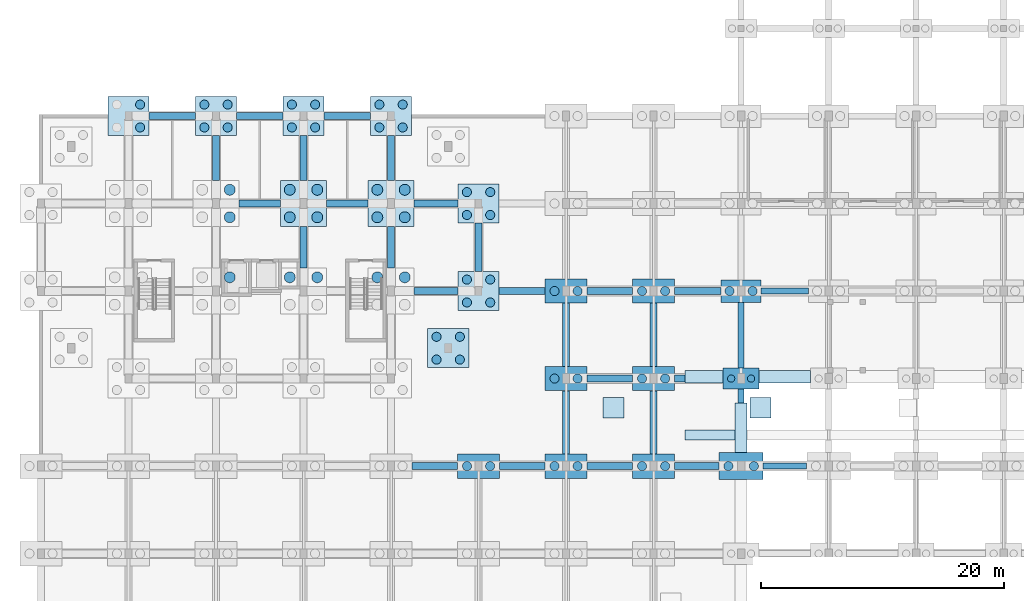
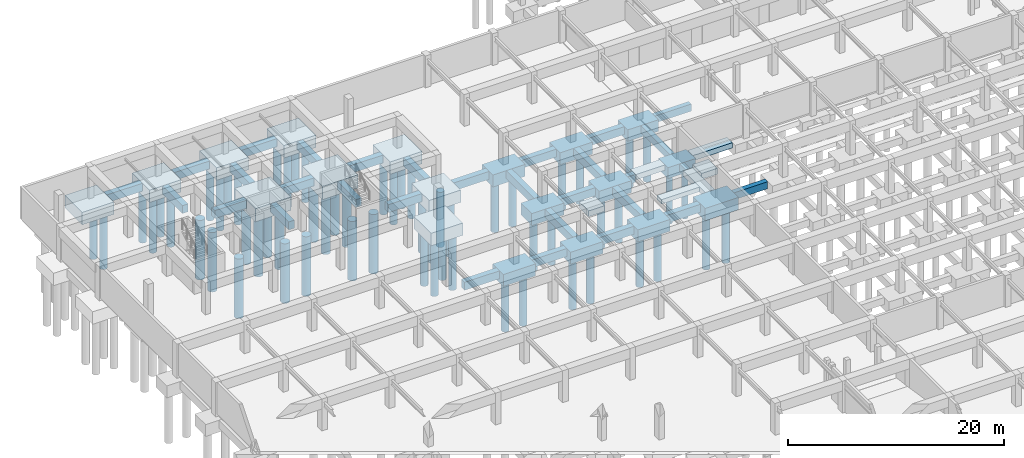
# One storey, part 8 of 36: 61 piles, 55 footings.
"""IFC4 building model written with IfcOpenShell, lengths in metres."""

from ifc_helpers import new_model, si_unit, direction, frame, origin, origin_2d, place, context, subcontext, project, spatial, rectangle, circle, extrude, material, material_profile, profile_set, type_object, element, save


model = new_model("IFC4")

# Units and contexts
model_context = context("Model", 3, precision=1e-05, world=origin(), true_north=direction((0.0, 1.0)))
body_context = subcontext(model_context, "Body", "Model", "MODEL_VIEW")
ifc_project = project(units=[si_unit("LENGTHUNIT", "METRE"), si_unit("AREAUNIT", "SQUARE_METRE"), si_unit("VOLUMEUNIT", "CUBIC_METRE"), si_unit("PLANEANGLEUNIT", "RADIAN"), si_unit("MASSUNIT", "GRAM", prefix="KILO")], contexts=[model_context])

# Site, building, storey
site_placement = place(None, origin())
site = spatial("IfcSite", under=ifc_project, at=site_placement, CompositionType="ELEMENT")
building_placement = place(site_placement, origin())
building = spatial("IfcBuilding", under=site, at=building_placement, Name="Ochrevale Crest", CompositionType="ELEMENT")
storey_placement = place(building_placement, frame((0.0, 0.0, -3.60009765625)))
storey = spatial("IfcBuildingStorey", under=building, at=storey_placement, Name="B1", CompositionType="ELEMENT", Elevation=-3.60009765625)

# Footings
ifc_material = material(Name="Concrete C40/50", Category="concrete")
footing_type_1 = type_object("IfcFootingType", Name="CAP-PC03", PredefinedType="PILE_CAP", material=ifc_material)
for number, where, z_axis, x_axis, name in (
    (1, (21.60009765625, 86.39990234375, -1.760009765625), (0.0, 0.0, 1.0), (1.0, 0.0, 0.0), "Pile cap PC03-047"),
    (2, (28.800048828125, 86.39990234375, -1.760009765625), (0.0, 0.0, 1.0), (1.0, 0.0, 0.0), "Pile cap PC03-059"),
):
    element("IfcFooting", number, at=place(storey_placement, frame(where, z_axis=z_axis, x_axis=x_axis)), inside=storey, type_object=footing_type_1, Name=name, PredefinedType="PILE_CAP", context=body_context, shape_type="SweptSolid", body=[
        extrude(rectangle(XDim=3.800048828125, YDim=3.800048828125, at=origin_2d()), origin(), (0.0, 0.0, 1.0), 1.5),
    ])
footing_type_2 = type_object("IfcFootingType", Name="CAP-PC07", PredefinedType="PILE_CAP", material=ifc_material)
for number, where, z_axis, x_axis, name in (
    (3, (7.199951171875, 93.60009765625, -1.659912109375), (0.0, 0.0, 1.0), (1.0, 0.0, 0.0), "Pile cap PC07-024"),
    (4, (14.39990234375, 93.60009765625, -1.659912109375), (0.0, 0.0, 1.0), (1.0, 0.0, 0.0), "Pile cap PC07-036"),
    (5, (21.60009765625, 93.60009765625, -1.659912109375), (0.0, 0.0, 1.0), (1.0, 0.0, 0.0), "Pile cap PC07-048"),
    (6, (28.800048828125, 93.60009765625, -1.659912109375), (0.0, 0.0, 1.0), (1.0, 0.0, 0.0), "Pile cap PC07-060"),
    (7, (33.5, 74.5, -1.659912109375), (0.0, 0.0, 1.0), (1.0, 0.0, 0.0), "Pile cap PC07-063"),
    (8, (36.0, 79.199951171875, -1.659912109375), (0.0, 0.0, 1.0), (1.0, 0.0, 0.0), "Pile cap PC07-071"),
    (9, (36.0, 86.39990234375, -1.659912109375), (0.0, 0.0, 1.0), (1.0, 0.0, 0.0), "Pile cap PC07-072"),
):
    element("IfcFooting", number, at=place(storey_placement, frame(where, z_axis=z_axis, x_axis=x_axis)), inside=storey, type_object=footing_type_2, Name=name, PredefinedType="PILE_CAP", context=body_context, shape_type="SweptSolid", body=[
        extrude(rectangle(XDim=3.39990234375, YDim=3.199951171875, at=origin_2d()), origin(), (0.0, 0.0, 1.0), 1.39990234375),
    ])
footing_type_3 = type_object("IfcFootingType", Name="CAP-PC11", PredefinedType="PILE_CAP", material=ifc_material)
footing_1_placement = place(storey_placement, frame((57.60009765625, 64.800048828125, -1.659912109375), z_axis=(0.0, 0.0, 1.0), x_axis=(1.0, 0.0, 0.0)))
element("IfcFooting", 10, at=footing_1_placement, inside=storey, type_object=footing_type_3, Name="Pile cap PC11-106", PredefinedType="PILE_CAP", context=body_context, shape_type="SweptSolid", body=[
    extrude(rectangle(XDim=3.60009765625, YDim=2.199951171875, at=origin_2d()), origin(), (0.0, 0.0, 1.0), 1.39990234375),
])
footing_type_4 = type_object("IfcFootingType", Name="CAP-PC12", PredefinedType="PILE_CAP", material=ifc_material)
for number, where, z_axis, x_axis, name in (
    (11, (36.0, 64.800048828125, -1.60986328125), (0.0, 0.0, 1.0), (1.0, 0.0, 0.0), "Pile cap PC12-070"),
    (12, (43.199951171875, 64.800048828125, -1.60986328125), (0.0, 0.0, 1.0), (1.0, 0.0, 0.0), "Pile cap PC12-080"),
    (13, (43.199951171875, 72.0, -1.60986328125), (0.0, 0.0, 1.0), (1.0, 0.0, 0.0), "Pile cap PC12-081"),
    (14, (43.199951171875, 79.199951171875, -1.60986328125), (0.0, 0.0, 1.0), (1.0, 0.0, 0.0), "Pile cap PC12-082"),
    (15, (50.39990234375, 64.800048828125, -1.60986328125), (0.0, 0.0, 1.0), (1.0, 0.0, 0.0), "Pile cap PC12-093"),
    (16, (50.39990234375, 72.0, -1.60986328125), (0.0, 0.0, 1.0), (1.0, 0.0, 0.0), "Pile cap PC12-094"),
    (17, (50.39990234375, 79.199951171875, -1.60986328125), (0.0, 0.0, 1.0), (1.0, 0.0, 0.0), "Pile cap PC12-095"),
):
    element("IfcFooting", number, at=place(storey_placement, frame(where, z_axis=z_axis, x_axis=x_axis)), inside=storey, type_object=footing_type_4, Name=name, PredefinedType="PILE_CAP", context=body_context, shape_type="SweptSolid", body=[
        extrude(rectangle(XDim=3.449951171875, YDim=2.0, at=origin_2d()), origin(), (0.0, 0.0, 1.0), 1.35009765625),
    ])
footing_type_5 = type_object("IfcFootingType", Name="CAP-PC13", PredefinedType="PILE_CAP", material=ifc_material)
footing_2_placement = place(storey_placement, frame((57.60009765625, 79.199951171875, -1.56005859375), z_axis=(0.0, 0.0, 1.0), x_axis=(1.0, 0.0, 0.0)))
element("IfcFooting", 18, at=footing_2_placement, inside=storey, type_object=footing_type_5, Name="Pile cap PC13-108", PredefinedType="PILE_CAP", context=body_context, shape_type="SweptSolid", body=[
    extrude(rectangle(XDim=3.300048828125, YDim=1.85009765625, at=origin_2d()), origin(), (0.0, 0.0, 1.0), 1.300048828125),
])
footing_type_6 = type_object("IfcFootingType", Name="CAP-PC14", PredefinedType="PILE_CAP", material=ifc_material)
footing_3_placement = place(storey_placement, frame((57.60009765625, 72.0, -1.510009765625), z_axis=(0.0, 0.0, 1.0), x_axis=(1.0, 0.0, 0.0)))
element("IfcFooting", 19, at=footing_3_placement, inside=storey, type_object=footing_type_6, Name="Pile cap PC14-107", PredefinedType="PILE_CAP", context=body_context, shape_type="SweptSolid", body=[
    extrude(rectangle(XDim=2.949951171875, YDim=1.75, at=origin_2d()), origin(), (0.0, 0.0, 1.0), 1.25),
])
ifc_material_profile_1 = material_profile(ifc_material, rectangle(XDim=0.5, YDim=0.800048828125, at=origin_2d()), Name="GB 500x800")
ifc_profile_set_1 = profile_set([ifc_material_profile_1], Name="Concrete C40/50")
footing_type_7 = type_object("IfcFootingType", Name="FTG-GB500x800", PredefinedType="FOOTING_BEAM", material=ifc_profile_set_1)
footing_4_placement = place(storey_placement, frame((59.402099609375, 64.800048828125, -0.659912109375), z_axis=(1.0, 0.0, 0.0), x_axis=(0.0, 1.0, 0.0)))
element("IfcFooting", 20, at=footing_4_placement, inside=storey, type_object=footing_type_7, Name="Foundation tie beam GB2-179", PredefinedType="FOOTING_BEAM", context=body_context, shape_type="SweptSolid", body=[
    extrude(rectangle(XDim=0.5, YDim=0.800048828125, at=origin_2d()), origin(), (0.0, 0.0, 1.0), 3.595947265625),
])
footing_5_placement = place(storey_placement, frame((57.60009765625, 70.001953125, -0.659912109375), z_axis=(0.0, 1.0, 0.0), x_axis=(-1.0, 0.0, 0.0)))
element("IfcFooting", 21, at=footing_5_placement, inside=storey, type_object=footing_type_7, Name="Foundation tie beam GB2-180", PredefinedType="FOOTING_BEAM", context=body_context, shape_type="SweptSolid", body=[
    extrude(rectangle(XDim=0.5, YDim=0.800048828125, at=origin_2d()), origin(), (0.0, 0.0, 1.0), 1.12109375),
])
footing_6_placement = place(storey_placement, frame((57.60009765625, 72.876953125, -0.659912109375), z_axis=(0.0, 1.0, 0.0), x_axis=(-1.0, 0.0, 0.0)))
element("IfcFooting", 22, at=footing_6_placement, inside=storey, type_object=footing_type_7, Name="Foundation tie beam GB2-182", PredefinedType="FOOTING_BEAM", context=body_context, shape_type="SweptSolid", body=[
    extrude(rectangle(XDim=0.5, YDim=0.800048828125, at=origin_2d()), origin(), (0.0, 0.0, 1.0), 5.39599609375),
])
footing_7_placement = place(storey_placement, frame((59.251953125, 79.199951171875, -0.659912109375), z_axis=(1.0, 0.0, 0.0), x_axis=(0.0, 1.0, 0.0)))
element("IfcFooting", 23, at=footing_7_placement, inside=storey, type_object=footing_type_7, Name="Foundation tie beam GB2-183", PredefinedType="FOOTING_BEAM", context=body_context, shape_type="SweptSolid", body=[
    extrude(rectangle(XDim=0.5, YDim=0.800048828125, at=origin_2d()), origin(), (0.0, 0.0, 1.0), 3.89599609375),
])
ifc_material_profile_2 = material_profile(ifc_material, rectangle(XDim=0.60009765625, YDim=0.89990234375, at=origin_2d()), Name="GB 600x900")
ifc_profile_set_2 = profile_set([ifc_material_profile_2], Name="Concrete C40/50")
footing_type_8 = type_object("IfcFootingType", Name="FTG-GB600x900", PredefinedType="FOOTING_BEAM", material=ifc_profile_set_2)
footing_8_placement = place(storey_placement, frame((8.902099609375, 93.60009765625, -0.7099609375), z_axis=(1.0, 0.0, 0.0), x_axis=(0.0, 1.0, 0.0)))
element("IfcFooting", 24, at=footing_8_placement, inside=storey, type_object=footing_type_8, Name="Foundation tie beam GB1-036", PredefinedType="FOOTING_BEAM", context=body_context, shape_type="SweptSolid", body=[
    extrude(rectangle(XDim=0.60009765625, YDim=0.89990234375, at=origin_2d()), origin(), (0.0, 0.0, 1.0), 3.7958984375),
])
footing_9_placement = place(storey_placement, frame((16.302001953125, 86.39990234375, -0.7099609375), z_axis=(1.0, 0.0, 0.0), x_axis=(0.0, 1.0, 0.0)))
element("IfcFooting", 25, at=footing_9_placement, inside=storey, type_object=footing_type_8, Name="Foundation tie beam GB1-057", PredefinedType="FOOTING_BEAM", context=body_context, shape_type="SweptSolid", body=[
    extrude(rectangle(XDim=0.60009765625, YDim=0.89990234375, at=origin_2d()), origin(), (0.0, 0.0, 1.0), 3.39599609375),
])
footing_10_placement = place(storey_placement, frame((14.39990234375, 88.302001953125, -0.7099609375), z_axis=(0.0, 1.0, 0.0), x_axis=(-1.0, 0.0, 0.0)))
element("IfcFooting", 26, at=footing_10_placement, inside=storey, type_object=footing_type_8, Name="Foundation tie beam GB1-058", PredefinedType="FOOTING_BEAM", context=body_context, shape_type="SweptSolid", body=[
    extrude(rectangle(XDim=0.60009765625, YDim=0.89990234375, at=origin_2d()), origin(), (0.0, 0.0, 1.0), 3.696044921875),
])
footing_11_placement = place(storey_placement, frame((16.10205078125, 93.60009765625, -0.7099609375), z_axis=(1.0, 0.0, 0.0), x_axis=(0.0, 1.0, 0.0)))
element("IfcFooting", 27, at=footing_11_placement, inside=storey, type_object=footing_type_8, Name="Foundation tie beam GB1-059", PredefinedType="FOOTING_BEAM", context=body_context, shape_type="SweptSolid", body=[
    extrude(rectangle(XDim=0.60009765625, YDim=0.89990234375, at=origin_2d()), origin(), (0.0, 0.0, 1.0), 3.7958984375),
])
for number, where, z_axis, x_axis, name in (
    (28, (21.60009765625, 81.10205078125, -0.7099609375), (0.0, 1.0, 0.0), (-1.0, 0.0, 0.0), "Foundation tie beam GB1-079"),
    (29, (23.501953125, 86.39990234375, -0.7099609375), (1.0, 0.0, 0.0), (0.0, 1.0, 0.0), "Foundation tie beam GB1-080"),
):
    element("IfcFooting", number, at=place(storey_placement, frame(where, z_axis=z_axis, x_axis=x_axis)), inside=storey, type_object=footing_type_8, Name=name, PredefinedType="FOOTING_BEAM", context=body_context, shape_type="SweptSolid", body=[
        extrude(rectangle(XDim=0.60009765625, YDim=0.89990234375, at=origin_2d()), origin(), (0.0, 0.0, 1.0), 3.39599609375),
    ])
footing_12_placement = place(storey_placement, frame((21.60009765625, 88.302001953125, -0.7099609375), z_axis=(0.0, 1.0, 0.0), x_axis=(-1.0, 0.0, 0.0)))
element("IfcFooting", 30, at=footing_12_placement, inside=storey, type_object=footing_type_8, Name="Foundation tie beam GB1-081", PredefinedType="FOOTING_BEAM", context=body_context, shape_type="SweptSolid", body=[
    extrude(rectangle(XDim=0.60009765625, YDim=0.89990234375, at=origin_2d()), origin(), (0.0, 0.0, 1.0), 3.696044921875),
])
footing_13_placement = place(storey_placement, frame((23.302001953125, 93.60009765625, -0.7099609375), z_axis=(1.0, 0.0, 0.0), x_axis=(0.0, 1.0, 0.0)))
element("IfcFooting", 31, at=footing_13_placement, inside=storey, type_object=footing_type_8, Name="Foundation tie beam GB1-082", PredefinedType="FOOTING_BEAM", context=body_context, shape_type="SweptSolid", body=[
    extrude(rectangle(XDim=0.60009765625, YDim=0.89990234375, at=origin_2d()), origin(), (0.0, 0.0, 1.0), 3.7958984375),
])
footing_14_placement = place(storey_placement, frame((30.527099609375, 64.800048828125, -0.7099609375), z_axis=(1.0, 0.0, 0.0), x_axis=(0.0, 1.0, 0.0)))
element("IfcFooting", 32, at=footing_14_placement, inside=storey, type_object=footing_type_8, Name="Foundation tie beam GB1-095", PredefinedType="FOOTING_BEAM", context=body_context, shape_type="SweptSolid", body=[
    extrude(rectangle(XDim=0.60009765625, YDim=0.89990234375, at=origin_2d()), origin(), (0.0, 0.0, 1.0), 3.745849609375),
])
footing_15_placement = place(storey_placement, frame((30.701904296875, 79.199951171875, -0.7099609375), z_axis=(1.0, 0.0, 0.0), x_axis=(0.0, 1.0, 0.0)))
element("IfcFooting", 33, at=footing_15_placement, inside=storey, type_object=footing_type_8, Name="Foundation tie beam GB1-098", PredefinedType="FOOTING_BEAM", context=body_context, shape_type="SweptSolid", body=[
    extrude(rectangle(XDim=0.60009765625, YDim=0.89990234375, at=origin_2d()), origin(), (0.0, 0.0, 1.0), 3.59619140625),
])
footing_16_placement = place(storey_placement, frame((28.800048828125, 81.10205078125, -0.7099609375), z_axis=(0.0, 1.0, 0.0), x_axis=(-1.0, 0.0, 0.0)))
element("IfcFooting", 34, at=footing_16_placement, inside=storey, type_object=footing_type_8, Name="Foundation tie beam GB1-099", PredefinedType="FOOTING_BEAM", context=body_context, shape_type="SweptSolid", body=[
    extrude(rectangle(XDim=0.60009765625, YDim=0.89990234375, at=origin_2d()), origin(), (0.0, 0.0, 1.0), 3.39599609375),
])
footing_17_placement = place(storey_placement, frame((30.701904296875, 86.39990234375, -0.7099609375), z_axis=(1.0, 0.0, 0.0), x_axis=(0.0, 1.0, 0.0)))
element("IfcFooting", 35, at=footing_17_placement, inside=storey, type_object=footing_type_8, Name="Foundation tie beam GB1-100", PredefinedType="FOOTING_BEAM", context=body_context, shape_type="SweptSolid", body=[
    extrude(rectangle(XDim=0.60009765625, YDim=0.89990234375, at=origin_2d()), origin(), (0.0, 0.0, 1.0), 3.59619140625),
])
footing_18_placement = place(storey_placement, frame((28.800048828125, 88.302001953125, -0.7099609375), z_axis=(0.0, 1.0, 0.0), x_axis=(-1.0, 0.0, 0.0)))
element("IfcFooting", 36, at=footing_18_placement, inside=storey, type_object=footing_type_8, Name="Foundation tie beam GB1-101", PredefinedType="FOOTING_BEAM", context=body_context, shape_type="SweptSolid", body=[
    extrude(rectangle(XDim=0.60009765625, YDim=0.89990234375, at=origin_2d()), origin(), (0.0, 0.0, 1.0), 3.696044921875),
])
footing_19_placement = place(storey_placement, frame((37.72705078125, 64.800048828125, -0.7099609375), z_axis=(1.0, 0.0, 0.0), x_axis=(0.0, 1.0, 0.0)))
element("IfcFooting", 37, at=footing_19_placement, inside=storey, type_object=footing_type_8, Name="Foundation tie beam GB1-111", PredefinedType="FOOTING_BEAM", context=body_context, shape_type="SweptSolid", body=[
    extrude(rectangle(XDim=0.60009765625, YDim=0.89990234375, at=origin_2d()), origin(), (0.0, 0.0, 1.0), 3.745849609375),
])
footing_20_placement = place(storey_placement, frame((37.701904296875, 79.199951171875, -0.7099609375), z_axis=(1.0, 0.0, 0.0), x_axis=(0.0, 1.0, 0.0)))
element("IfcFooting", 38, at=footing_20_placement, inside=storey, type_object=footing_type_8, Name="Foundation tie beam GB1-112", PredefinedType="FOOTING_BEAM", context=body_context, shape_type="SweptSolid", body=[
    extrude(rectangle(XDim=0.60009765625, YDim=0.89990234375, at=origin_2d()), origin(), (0.0, 0.0, 1.0), 3.77099609375),
])
footing_21_placement = place(storey_placement, frame((36.0, 80.802001953125, -0.7099609375), z_axis=(0.0, 1.0, 0.0), x_axis=(-1.0, 0.0, 0.0)))
element("IfcFooting", 39, at=footing_21_placement, inside=storey, type_object=footing_type_8, Name="Foundation tie beam GB1-113", PredefinedType="FOOTING_BEAM", context=body_context, shape_type="SweptSolid", body=[
    extrude(rectangle(XDim=0.60009765625, YDim=0.89990234375, at=origin_2d()), origin(), (0.0, 0.0, 1.0), 3.99609375),
])
footing_22_placement = place(storey_placement, frame((44.927001953125, 64.800048828125, -0.7099609375), z_axis=(1.0, 0.0, 0.0), x_axis=(0.0, 1.0, 0.0)))
element("IfcFooting", 40, at=footing_22_placement, inside=storey, type_object=footing_type_8, Name="Foundation tie beam GB1-129", PredefinedType="FOOTING_BEAM", context=body_context, shape_type="SweptSolid", body=[
    extrude(rectangle(XDim=0.60009765625, YDim=0.89990234375, at=origin_2d()), origin(), (0.0, 0.0, 1.0), 3.74609375),
])
footing_23_placement = place(storey_placement, frame((43.199951171875, 65.802001953125, -0.7099609375), z_axis=(0.0, 1.0, 0.0), x_axis=(-1.0, 0.0, 0.0)))
element("IfcFooting", 41, at=footing_23_placement, inside=storey, type_object=footing_type_8, Name="Foundation tie beam GB1-130", PredefinedType="FOOTING_BEAM", context=body_context, shape_type="SweptSolid", body=[
    extrude(rectangle(XDim=0.60009765625, YDim=0.89990234375, at=origin_2d()), origin(), (0.0, 0.0, 1.0), 5.196044921875),
])
footing_24_placement = place(storey_placement, frame((44.927001953125, 72.0, -0.7099609375), z_axis=(1.0, 0.0, 0.0), x_axis=(0.0, 1.0, 0.0)))
element("IfcFooting", 42, at=footing_24_placement, inside=storey, type_object=footing_type_8, Name="Foundation tie beam GB1-131", PredefinedType="FOOTING_BEAM", context=body_context, shape_type="SweptSolid", body=[
    extrude(rectangle(XDim=0.60009765625, YDim=0.89990234375, at=origin_2d()), origin(), (0.0, 0.0, 1.0), 3.74609375),
])
footing_25_placement = place(storey_placement, frame((43.199951171875, 73.001953125, -0.7099609375), z_axis=(0.0, 1.0, 0.0), x_axis=(-1.0, 0.0, 0.0)))
element("IfcFooting", 43, at=footing_25_placement, inside=storey, type_object=footing_type_8, Name="Foundation tie beam GB1-132", PredefinedType="FOOTING_BEAM", context=body_context, shape_type="SweptSolid", body=[
    extrude(rectangle(XDim=0.60009765625, YDim=0.89990234375, at=origin_2d()), origin(), (0.0, 0.0, 1.0), 5.196044921875),
])
footing_26_placement = place(storey_placement, frame((44.927001953125, 79.199951171875, -0.7099609375), z_axis=(1.0, 0.0, 0.0), x_axis=(0.0, 1.0, 0.0)))
element("IfcFooting", 44, at=footing_26_placement, inside=storey, type_object=footing_type_8, Name="Foundation tie beam GB1-133", PredefinedType="FOOTING_BEAM", context=body_context, shape_type="SweptSolid", body=[
    extrude(rectangle(XDim=0.60009765625, YDim=0.89990234375, at=origin_2d()), origin(), (0.0, 0.0, 1.0), 3.74609375),
])
footing_27_placement = place(storey_placement, frame((52.126953125, 64.800048828125, -0.7099609375), z_axis=(1.0, 0.0, 0.0), x_axis=(0.0, 1.0, 0.0)))
element("IfcFooting", 45, at=footing_27_placement, inside=storey, type_object=footing_type_8, Name="Foundation tie beam GB1-154", PredefinedType="FOOTING_BEAM", context=body_context, shape_type="SweptSolid", body=[
    extrude(rectangle(XDim=0.60009765625, YDim=0.89990234375, at=origin_2d()), origin(), (0.0, 0.0, 1.0), 3.671142578125),
])
footing_28_placement = place(storey_placement, frame((50.39990234375, 65.802001953125, -0.7099609375), z_axis=(0.0, 1.0, 0.0), x_axis=(-1.0, 0.0, 0.0)))
element("IfcFooting", 46, at=footing_28_placement, inside=storey, type_object=footing_type_8, Name="Foundation tie beam GB1-155", PredefinedType="FOOTING_BEAM", context=body_context, shape_type="SweptSolid", body=[
    extrude(rectangle(XDim=0.60009765625, YDim=0.89990234375, at=origin_2d()), origin(), (0.0, 0.0, 1.0), 5.196044921875),
])
footing_29_placement = place(storey_placement, frame((52.126953125, 72.0, -0.7099609375), z_axis=(1.0, 0.0, 0.0), x_axis=(0.0, 1.0, 0.0)))
element("IfcFooting", 47, at=footing_29_placement, inside=storey, type_object=footing_type_8, Name="Foundation tie beam GB1-156", PredefinedType="FOOTING_BEAM", context=body_context, shape_type="SweptSolid", body=[
    extrude(rectangle(XDim=0.60009765625, YDim=0.89990234375, at=origin_2d()), origin(), (0.0, 0.0, 1.0), 0.87109375),
])
footing_30_placement = place(storey_placement, frame((50.39990234375, 73.001953125, -0.7099609375), z_axis=(0.0, 1.0, 0.0), x_axis=(-1.0, 0.0, 0.0)))
element("IfcFooting", 48, at=footing_30_placement, inside=storey, type_object=footing_type_8, Name="Foundation tie beam GB1-157", PredefinedType="FOOTING_BEAM", context=body_context, shape_type="SweptSolid", body=[
    extrude(rectangle(XDim=0.60009765625, YDim=0.89990234375, at=origin_2d()), origin(), (0.0, 0.0, 1.0), 5.196044921875),
])
footing_31_placement = place(storey_placement, frame((52.126953125, 79.199951171875, -0.7099609375), z_axis=(1.0, 0.0, 0.0), x_axis=(0.0, 1.0, 0.0)))
element("IfcFooting", 49, at=footing_31_placement, inside=storey, type_object=footing_type_8, Name="Foundation tie beam GB1-158", PredefinedType="FOOTING_BEAM", context=body_context, shape_type="SweptSolid", body=[
    extrude(rectangle(XDim=0.60009765625, YDim=0.89990234375, at=origin_2d()), origin(), (0.0, 0.0, 1.0), 3.821044921875),
])
footing_type_9 = type_object("IfcFootingType", Name="FTG-PAD03", PredefinedType="PAD_FOOTING", material=ifc_material)
for number, where, z_axis, x_axis, name in (
    (50, (47.10009765625, 69.60009765625, -0.909912109375), (0.0, 0.0, 1.0), (1.0, 0.0, 0.0), "Pad footing PF03 (47.1,69.6)"),
    (51, (59.199951171875, 69.60009765625, -0.909912109375), (0.0, 0.0, 1.0), (1.0, 0.0, 0.0), "Pad footing PF03 (59.2,69.6)"),
):
    element("IfcFooting", number, at=place(storey_placement, frame(where, z_axis=z_axis, x_axis=x_axis)), inside=storey, type_object=footing_type_9, Name=name, PredefinedType="PAD_FOOTING", context=body_context, shape_type="SweptSolid", body=[
        extrude(rectangle(XDim=1.699951171875, YDim=1.699951171875, at=origin_2d()), origin(), (0.0, 0.0, 1.0), 0.64990234375),
    ])
ifc_material_profile_3 = material_profile(ifc_material, rectangle(XDim=1.0, YDim=0.60009765625, at=origin_2d()), Name="SF 1000x600")
ifc_profile_set_3 = profile_set([ifc_material_profile_3], Name="Concrete C40/50")
footing_type_10 = type_object("IfcFootingType", Name="FTG-SF1000x600", PredefinedType="STRIP_FOOTING", material=ifc_profile_set_3)
footing_32_placement = place(storey_placement, frame((57.60009765625, 65.902099609375, -0.559814453125), z_axis=(0.0, 1.0, 0.0), x_axis=(-1.0, 0.0, 0.0)))
element("IfcFooting", 52, at=footing_32_placement, inside=storey, type_object=footing_type_10, Name="B1 courtyard retaining wall W strip footing segment 5", PredefinedType="STRIP_FOOTING", context=body_context, shape_type="SweptSolid", body=[
    extrude(rectangle(XDim=1.0, YDim=0.60009765625, at=origin_2d()), origin(), (0.0, 0.0, 1.0), 4.097900390625),
])
footing_33_placement = place(storey_placement, frame((53.0, 72.14990234375, -0.559814453125), z_axis=(1.0, 0.0, 0.0), x_axis=(0.0, 1.0, 0.0)))
element("IfcFooting", 53, at=footing_33_placement, inside=storey, type_object=footing_type_10, Name="Hillside Step 3 grounded strip footing segment 1", PredefinedType="STRIP_FOOTING", context=body_context, shape_type="SweptSolid", body=[
    extrude(rectangle(XDim=1.0, YDim=0.60009765625, at=origin_2d()), origin(), (0.0, 0.0, 1.0), 3.123046875),
])
footing_34_placement = place(storey_placement, frame((59.076904296875, 72.14990234375, -0.559814453125), z_axis=(1.0, 0.0, 0.0), x_axis=(0.0, 1.0, 0.0)))
element("IfcFooting", 54, at=footing_34_placement, inside=storey, type_object=footing_type_10, Name="Hillside Step 3 grounded strip footing segment 2", PredefinedType="STRIP_FOOTING", context=body_context, shape_type="SweptSolid", body=[
    extrude(rectangle(XDim=1.0, YDim=0.60009765625, at=origin_2d()), origin(), (0.0, 0.0, 1.0), 4.24609375),
])
ifc_material_profile_4 = material_profile(ifc_material, rectangle(XDim=0.800048828125, YDim=0.5, at=origin_2d()), Name="SF 800x500")
ifc_profile_set_4 = profile_set([ifc_material_profile_4], Name="Concrete C40/50")
footing_type_11 = type_object("IfcFootingType", Name="FTG-SF800x500", PredefinedType="STRIP_FOOTING", material=ifc_profile_set_4)
footing_35_placement = place(storey_placement, frame((53.0, 67.35009765625, -0.510009765625), z_axis=(1.0, 0.0, 0.0), x_axis=(0.0, 1.0, 0.0)))
element("IfcFooting", 55, at=footing_35_placement, inside=storey, type_object=footing_type_11, Name="Hillside Step 2 grounded strip footing segment 1", PredefinedType="STRIP_FOOTING", context=body_context, shape_type="SweptSolid", body=[
    extrude(rectangle(XDim=0.800048828125, YDim=0.5, at=origin_2d()), origin(), (0.0, 0.0, 1.0), 4.097900390625),
])

# Piles
ifc_material_profile_5 = material_profile(ifc_material, circle(Radius=0.300048828125, at=origin_2d()), Name="BORED PILE 600")
ifc_profile_set_5 = profile_set([ifc_material_profile_5], Name="Concrete C40/50")
pile_type_1 = type_object("IfcPileType", Name="PILE-BP600", PredefinedType="BORED", material=ifc_profile_set_5)
for number, where, z_axis, x_axis, name in (
    (56, (56.780029296875, 72.0, -1.409912109375), (0.0, 0.0, -1.0), (1.0, 0.0, 0.0), "Bored pile P1-107-1"),
    (57, (58.419921875, 72.0, -1.409912109375), (0.0, 0.0, -1.0), (1.0, 0.0, 0.0), "Bored pile P1-107-2"),
):
    element("IfcPile", number, at=place(storey_placement, frame(where, z_axis=z_axis, x_axis=x_axis)), inside=storey, type_object=pile_type_1, Name=name, PredefinedType="BORED", context=body_context, shape_type="SweptSolid", body=[
        extrude(circle(Radius=0.300048828125, at=origin_2d()), origin(), (0.0, 0.0, 1.0), 5.7900390625),
    ])
ifc_material_profile_6 = material_profile(ifc_material, circle(Radius=0.375, at=origin_2d()), Name="BORED PILE 750")
ifc_profile_set_6 = profile_set([ifc_material_profile_6], Name="Concrete C40/50")
pile_type_2 = type_object("IfcPileType", Name="PILE-BP750", PredefinedType="BORED", material=ifc_profile_set_6)
for number, where, z_axis, x_axis, name in (
    (58, (8.159912109375, 92.659912109375, -1.559814453125), (0.0, 0.0, -1.0), (1.0, 0.0, 0.0), "Bored pile P2-024-2"),
    (59, (8.159912109375, 94.5400390625, -1.559814453125), (0.0, 0.0, -1.0), (1.0, 0.0, 0.0), "Bored pile P2-024-4"),
    (60, (13.43994140625, 92.659912109375, -1.559814453125), (0.0, 0.0, -1.0), (1.0, 0.0, 0.0), "Bored pile P2-036-1"),
    (61, (15.360107421875, 92.659912109375, -1.559814453125), (0.0, 0.0, -1.0), (1.0, 0.0, 0.0), "Bored pile P2-036-2"),
    (62, (13.43994140625, 94.5400390625, -1.559814453125), (0.0, 0.0, -1.0), (1.0, 0.0, 0.0), "Bored pile P2-036-3"),
    (63, (15.360107421875, 94.5400390625, -1.559814453125), (0.0, 0.0, -1.0), (1.0, 0.0, 0.0), "Bored pile P2-036-4"),
    (64, (20.639892578125, 92.659912109375, -1.559814453125), (0.0, 0.0, -1.0), (1.0, 0.0, 0.0), "Bored pile P2-048-1"),
    (65, (22.56005859375, 92.659912109375, -1.559814453125), (0.0, 0.0, -1.0), (1.0, 0.0, 0.0), "Bored pile P2-048-2"),
    (66, (20.639892578125, 94.5400390625, -1.559814453125), (0.0, 0.0, -1.0), (1.0, 0.0, 0.0), "Bored pile P2-048-3"),
    (67, (22.56005859375, 94.5400390625, -1.559814453125), (0.0, 0.0, -1.0), (1.0, 0.0, 0.0), "Bored pile P2-048-4"),
    (68, (27.840087890625, 92.659912109375, -1.559814453125), (0.0, 0.0, -1.0), (1.0, 0.0, 0.0), "Bored pile P2-060-1"),
    (69, (29.760009765625, 92.659912109375, -1.559814453125), (0.0, 0.0, -1.0), (1.0, 0.0, 0.0), "Bored pile P2-060-2"),
    (70, (27.840087890625, 94.5400390625, -1.559814453125), (0.0, 0.0, -1.0), (1.0, 0.0, 0.0), "Bored pile P2-060-3"),
    (71, (29.760009765625, 94.5400390625, -1.559814453125), (0.0, 0.0, -1.0), (1.0, 0.0, 0.0), "Bored pile P2-060-4"),
    (72, (32.5400390625, 73.56005859375, -1.559814453125), (0.0, 0.0, -1.0), (1.0, 0.0, 0.0), "Bored pile P2-063-1"),
    (73, (34.4599609375, 73.56005859375, -1.559814453125), (0.0, 0.0, -1.0), (1.0, 0.0, 0.0), "Bored pile P2-063-2"),
    (74, (32.5400390625, 75.43994140625, -1.559814453125), (0.0, 0.0, -1.0), (1.0, 0.0, 0.0), "Bored pile P2-063-3"),
    (75, (34.4599609375, 75.43994140625, -1.559814453125), (0.0, 0.0, -1.0), (1.0, 0.0, 0.0), "Bored pile P2-063-4"),
):
    element("IfcPile", number, at=place(storey_placement, frame(where, z_axis=z_axis, x_axis=x_axis)), inside=storey, type_object=pile_type_2, Name=name, PredefinedType="BORED", context=body_context, shape_type="SweptSolid", body=[
        extrude(circle(Radius=0.375, at=origin_2d()), origin(), (0.0, 0.0, 1.0), 6.239990234375),
    ])
for number, where, z_axis, x_axis, name in (
    (76, (35.050048828125, 64.800048828125, -1.510009765625), (0.0, 0.0, -1.0), (1.0, 0.0, 0.0), "Bored pile P2-070-1"),
    (77, (36.949951171875, 64.800048828125, -1.510009765625), (0.0, 0.0, -1.0), (1.0, 0.0, 0.0), "Bored pile P2-070-2"),
):
    element("IfcPile", number, at=place(storey_placement, frame(where, z_axis=z_axis, x_axis=x_axis)), inside=storey, type_object=pile_type_2, Name=name, PredefinedType="BORED", context=body_context, shape_type="SweptSolid", body=[
        extrude(circle(Radius=0.375, at=origin_2d()), origin(), (0.0, 0.0, 1.0), 5.889892578125),
    ])
for number, where, z_axis, x_axis, name in (
    (78, (35.0400390625, 78.260009765625, -1.559814453125), (0.0, 0.0, -1.0), (1.0, 0.0, 0.0), "Bored pile P2-071-1"),
    (79, (36.9599609375, 78.260009765625, -1.559814453125), (0.0, 0.0, -1.0), (1.0, 0.0, 0.0), "Bored pile P2-071-2"),
    (80, (35.0400390625, 80.139892578125, -1.559814453125), (0.0, 0.0, -1.0), (1.0, 0.0, 0.0), "Bored pile P2-071-3"),
    (81, (36.9599609375, 80.139892578125, -1.559814453125), (0.0, 0.0, -1.0), (1.0, 0.0, 0.0), "Bored pile P2-071-4"),
    (82, (35.0400390625, 85.4599609375, -1.559814453125), (0.0, 0.0, -1.0), (1.0, 0.0, 0.0), "Bored pile P2-072-1"),
    (83, (36.9599609375, 85.4599609375, -1.559814453125), (0.0, 0.0, -1.0), (1.0, 0.0, 0.0), "Bored pile P2-072-2"),
    (84, (35.0400390625, 87.340087890625, -1.559814453125), (0.0, 0.0, -1.0), (1.0, 0.0, 0.0), "Bored pile P2-072-3"),
    (85, (36.9599609375, 87.340087890625, -1.559814453125), (0.0, 0.0, -1.0), (1.0, 0.0, 0.0), "Bored pile P2-072-4"),
):
    element("IfcPile", number, at=place(storey_placement, frame(where, z_axis=z_axis, x_axis=x_axis)), inside=storey, type_object=pile_type_2, Name=name, PredefinedType="BORED", context=body_context, shape_type="SweptSolid", body=[
        extrude(circle(Radius=0.375, at=origin_2d()), origin(), (0.0, 0.0, 1.0), 6.239990234375),
    ])
for number, where, z_axis, x_axis, name in (
    (86, (42.25, 64.800048828125, -1.510009765625), (0.0, 0.0, -1.0), (1.0, 0.0, 0.0), "Bored pile P2-080-1"),
    (87, (44.14990234375, 64.800048828125, -1.510009765625), (0.0, 0.0, -1.0), (1.0, 0.0, 0.0), "Bored pile P2-080-2"),
    (88, (42.25, 72.0, -1.510009765625), (0.0, 0.0, -1.0), (1.0, 0.0, 0.0), "Bored pile P2-081-1"),
    (89, (44.14990234375, 72.0, -1.510009765625), (0.0, 0.0, -1.0), (1.0, 0.0, 0.0), "Bored pile P2-081-2"),
    (90, (42.25, 79.199951171875, -1.510009765625), (0.0, 0.0, -1.0), (1.0, 0.0, 0.0), "Bored pile P2-082-1"),
    (91, (44.14990234375, 79.199951171875, -1.510009765625), (0.0, 0.0, -1.0), (1.0, 0.0, 0.0), "Bored pile P2-082-2"),
    (92, (49.449951171875, 64.800048828125, -1.510009765625), (0.0, 0.0, -1.0), (1.0, 0.0, 0.0), "Bored pile P2-093-1"),
    (93, (51.35009765625, 64.800048828125, -1.510009765625), (0.0, 0.0, -1.0), (1.0, 0.0, 0.0), "Bored pile P2-093-2"),
    (94, (49.449951171875, 72.0, -1.510009765625), (0.0, 0.0, -1.0), (1.0, 0.0, 0.0), "Bored pile P2-094-1"),
    (95, (51.35009765625, 72.0, -1.510009765625), (0.0, 0.0, -1.0), (1.0, 0.0, 0.0), "Bored pile P2-094-2"),
    (96, (49.449951171875, 79.199951171875, -1.510009765625), (0.0, 0.0, -1.0), (1.0, 0.0, 0.0), "Bored pile P2-095-1"),
    (97, (51.35009765625, 79.199951171875, -1.510009765625), (0.0, 0.0, -1.0), (1.0, 0.0, 0.0), "Bored pile P2-095-2"),
):
    element("IfcPile", number, at=place(storey_placement, frame(where, z_axis=z_axis, x_axis=x_axis)), inside=storey, type_object=pile_type_2, Name=name, PredefinedType="BORED", context=body_context, shape_type="SweptSolid", body=[
        extrude(circle(Radius=0.375, at=origin_2d()), origin(), (0.0, 0.0, 1.0), 5.889892578125),
    ])
for number, where, z_axis, x_axis, name in (
    (98, (56.550048828125, 64.800048828125, -1.559814453125), (0.0, 0.0, -1.0), (1.0, 0.0, 0.0), "Bored pile P2-106-1"),
    (99, (58.64990234375, 64.800048828125, -1.559814453125), (0.0, 0.0, -1.0), (1.0, 0.0, 0.0), "Bored pile P2-106-2"),
):
    element("IfcPile", number, at=place(storey_placement, frame(where, z_axis=z_axis, x_axis=x_axis)), inside=storey, type_object=pile_type_2, Name=name, PredefinedType="BORED", context=body_context, shape_type="SweptSolid", body=[
        extrude(circle(Radius=0.375, at=origin_2d()), origin(), (0.0, 0.0, 1.0), 6.340087890625),
    ])
for number, where, z_axis, x_axis, name in (
    (100, (56.64990234375, 79.199951171875, -1.4599609375), (0.0, 0.0, -1.0), (1.0, 0.0, 0.0), "Bored pile P2-108-1"),
    (101, (58.550048828125, 79.199951171875, -1.4599609375), (0.0, 0.0, -1.0), (1.0, 0.0, 0.0), "Bored pile P2-108-2"),
):
    element("IfcPile", number, at=place(storey_placement, frame(where, z_axis=z_axis, x_axis=x_axis)), inside=storey, type_object=pile_type_2, Name=name, PredefinedType="BORED", context=body_context, shape_type="SweptSolid", body=[
        extrude(circle(Radius=0.375, at=origin_2d()), origin(), (0.0, 0.0, 1.0), 5.93994140625),
    ])
ifc_material_profile_7 = material_profile(ifc_material, circle(Radius=0.449951171875, at=origin_2d()), Name="BORED PILE 900")
ifc_profile_set_7 = profile_set([ifc_material_profile_7], Name="Concrete C40/50")
pile_type_3 = type_object("IfcPileType", Name="PILE-BP900", PredefinedType="BORED", material=ifc_profile_set_7)
for number, where, z_axis, x_axis, name in (
    (102, (15.530029296875, 80.330078125, -1.659912109375), (0.0, 0.0, -1.0), (1.0, 0.0, 0.0), "Bored pile P3-034-4"),
    (103, (15.530029296875, 85.27001953125, -1.659912109375), (0.0, 0.0, -1.0), (1.0, 0.0, 0.0), "Bored pile P3-035-2"),
    (104, (15.530029296875, 87.530029296875, -1.659912109375), (0.0, 0.0, -1.0), (1.0, 0.0, 0.0), "Bored pile P3-035-4"),
    (105, (20.469970703125, 80.330078125, -1.659912109375), (0.0, 0.0, -1.0), (1.0, 0.0, 0.0), "Bored pile P3-046-3"),
    (106, (22.72998046875, 80.330078125, -1.659912109375), (0.0, 0.0, -1.0), (1.0, 0.0, 0.0), "Bored pile P3-046-4"),
    (107, (20.469970703125, 85.27001953125, -1.659912109375), (0.0, 0.0, -1.0), (1.0, 0.0, 0.0), "Bored pile P3-047-1"),
    (108, (22.72998046875, 85.27001953125, -1.659912109375), (0.0, 0.0, -1.0), (1.0, 0.0, 0.0), "Bored pile P3-047-2"),
    (109, (20.469970703125, 87.530029296875, -1.659912109375), (0.0, 0.0, -1.0), (1.0, 0.0, 0.0), "Bored pile P3-047-3"),
    (110, (22.72998046875, 87.530029296875, -1.659912109375), (0.0, 0.0, -1.0), (1.0, 0.0, 0.0), "Bored pile P3-047-4"),
    (111, (27.669921875, 80.330078125, -1.659912109375), (0.0, 0.0, -1.0), (1.0, 0.0, 0.0), "Bored pile P3-058-3"),
    (112, (29.929931640625, 80.330078125, -1.659912109375), (0.0, 0.0, -1.0), (1.0, 0.0, 0.0), "Bored pile P3-058-4"),
    (113, (27.669921875, 85.27001953125, -1.659912109375), (0.0, 0.0, -1.0), (1.0, 0.0, 0.0), "Bored pile P3-059-1"),
    (114, (29.929931640625, 85.27001953125, -1.659912109375), (0.0, 0.0, -1.0), (1.0, 0.0, 0.0), "Bored pile P3-059-2"),
    (115, (27.669921875, 87.530029296875, -1.659912109375), (0.0, 0.0, -1.0), (1.0, 0.0, 0.0), "Bored pile P3-059-3"),
    (116, (29.929931640625, 87.530029296875, -1.659912109375), (0.0, 0.0, -1.0), (1.0, 0.0, 0.0), "Bored pile P3-059-4"),
):
    element("IfcPile", number, at=place(storey_placement, frame(where, z_axis=z_axis, x_axis=x_axis)), inside=storey, type_object=pile_type_3, Name=name, PredefinedType="BORED", context=body_context, shape_type="SweptSolid", body=[
        extrude(circle(Radius=0.449951171875, at=origin_2d()), origin(), (0.0, 0.0, 1.0), 6.739990234375),
    ])

save(model, "model.ifc")
